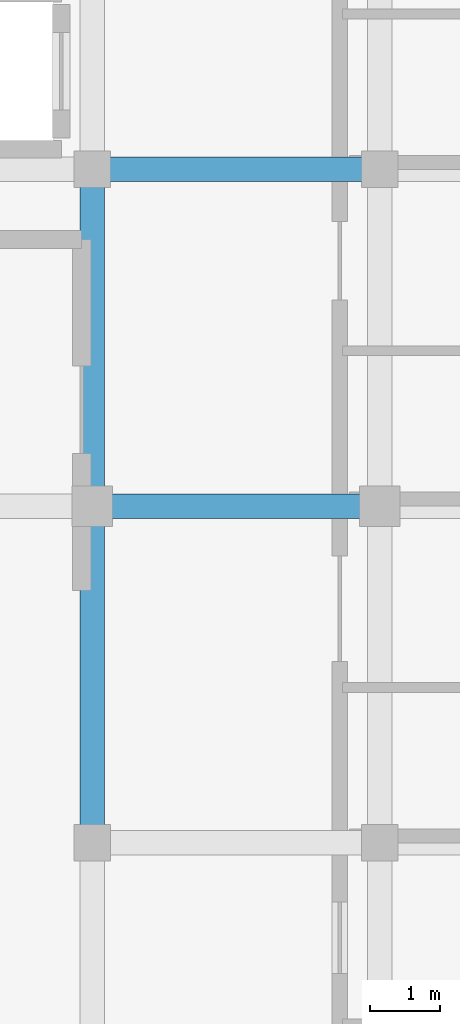
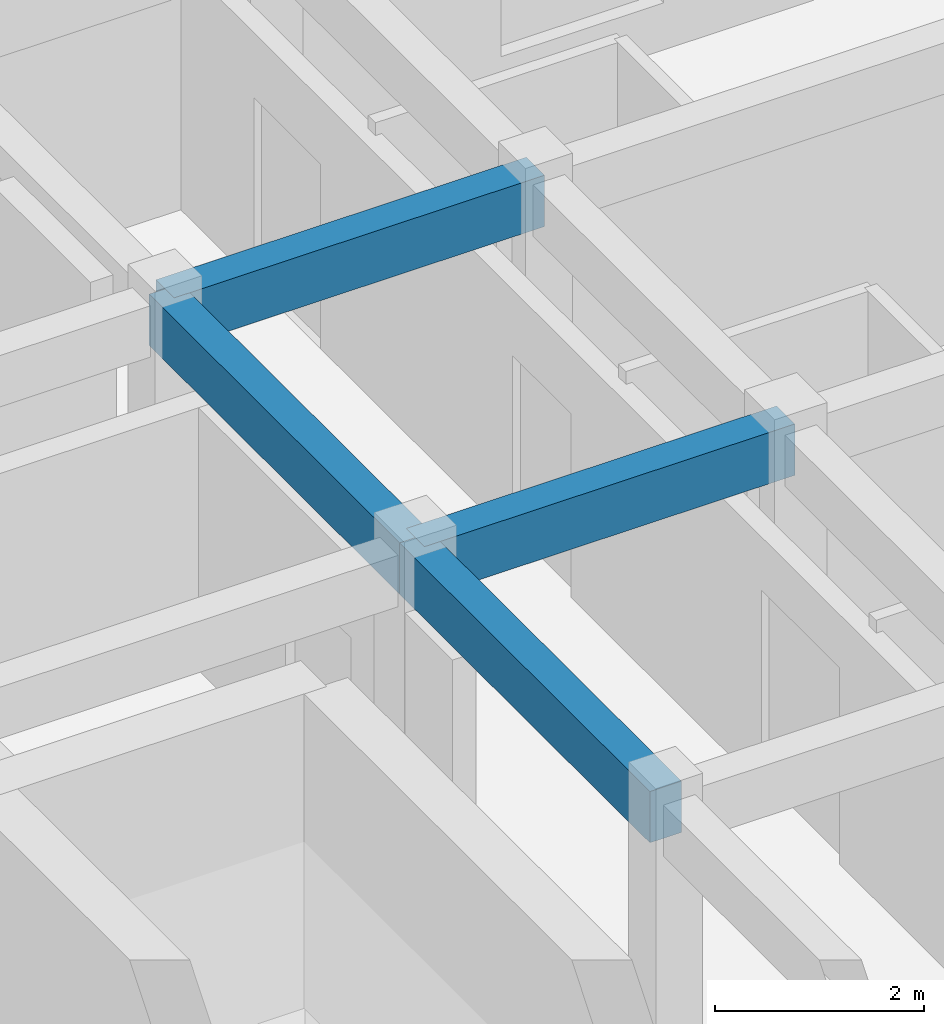
# One storey, part 29 of 49: 4 beams.
"""IFC4 building model written with IfcOpenShell, lengths in metres."""

from ifc_helpers import new_model, si_unit, direction, frame, origin, origin_2d, place, context, subcontext, project, spatial, rectangle, extrude, material, material_profile, profile_set, type_object, element, save


model = new_model("IFC4")

# Units and contexts
model_context = context("Model", 3, precision=1e-05, world=origin(), true_north=direction((0.0, 1.0)))
body_context = subcontext(model_context, "Body", "Model", "MODEL_VIEW")
ifc_project = project(units=[si_unit("LENGTHUNIT", "METRE"), si_unit("AREAUNIT", "SQUARE_METRE"), si_unit("VOLUMEUNIT", "CUBIC_METRE"), si_unit("PLANEANGLEUNIT", "RADIAN"), si_unit("MASSUNIT", "GRAM", prefix="KILO")], contexts=[model_context])

# Site, building, storey
site_placement = place(None, origin())
site = spatial("IfcSite", under=ifc_project, at=site_placement, CompositionType="ELEMENT")
building_placement = place(site_placement, origin())
building = spatial("IfcBuilding", under=site, at=building_placement, Name="Nakhvara Creek Congress Hotel", CompositionType="ELEMENT")
storey_placement = place(building_placement, frame((0.0, 0.0, 46.5)))
storey = spatial("IfcBuildingStorey", under=building, at=storey_placement, Name="L11", CompositionType="ELEMENT", Elevation=46.5)

# Beams
ifc_material = material(Name="Concrete C40/50", Category="concrete")
ifc_material_profile = material_profile(ifc_material, rectangle(XDim=0.35009765625, YDim=0.60009765625, at=origin_2d()), Name="RC-BM 350x600", Category="LoadBearing")
ifc_profile_set = profile_set([ifc_material_profile], Name="Concrete C40/50")
beam_type = type_object("IfcBeamType", Name="BM-RC-350X600", PredefinedType="BEAM", material=ifc_profile_set)
beam_1_placement = place(storey_placement, frame((162.35009765625, 115.199951171875, 3.3798828125), z_axis=(1.0, 0.0, 0.0), x_axis=(0.0, 1.0, 0.0)))
element("IfcBeam", 1, at=beam_1_placement, inside=storey, type_object=beam_type, Name="Beam B07-L11-2740", PredefinedType="BEAM", context=body_context, shape_type="SweptSolid", body=[
    extrude(rectangle(XDim=0.35009765625, YDim=0.60009765625, at=origin_2d()), origin(), (0.0, 0.0, 1.0), 4.099853515625),
])
for number, where, z_axis, x_axis, name in (
    (2, (162.35009765625, 110.39990234375, 3.3798828125), (0.0, 1.0, 0.0), (-1.0, 0.0, 0.0), "Beam B07-L11-2741"),
    (3, (162.35009765625, 115.199951171875, 3.3798828125), (0.0, 1.0, 0.0), (-1.0, 0.0, 0.0), "Beam B07-L11-2742"),
):
    element("IfcBeam", number, at=place(storey_placement, frame(where, z_axis=z_axis, x_axis=x_axis)), inside=storey, type_object=beam_type, Name=name, PredefinedType="BEAM", context=body_context, shape_type="SweptSolid", body=[
        extrude(rectangle(XDim=0.35009765625, YDim=0.60009765625, at=origin_2d()), origin(), (0.0, 0.0, 1.0), 4.800048828125),
    ])
beam_2_placement = place(storey_placement, frame((162.35009765625, 120.0, 3.3798828125), z_axis=(1.0, 0.0, 0.0), x_axis=(0.0, 1.0, 0.0)))
element("IfcBeam", 4, at=beam_2_placement, inside=storey, type_object=beam_type, Name="Beam B07-L11-2774", PredefinedType="BEAM", context=body_context, shape_type="SweptSolid", body=[
    extrude(rectangle(XDim=0.35009765625, YDim=0.60009765625, at=origin_2d()), origin(), (0.0, 0.0, 1.0), 4.099853515625),
])

save(model, "model.ifc")
